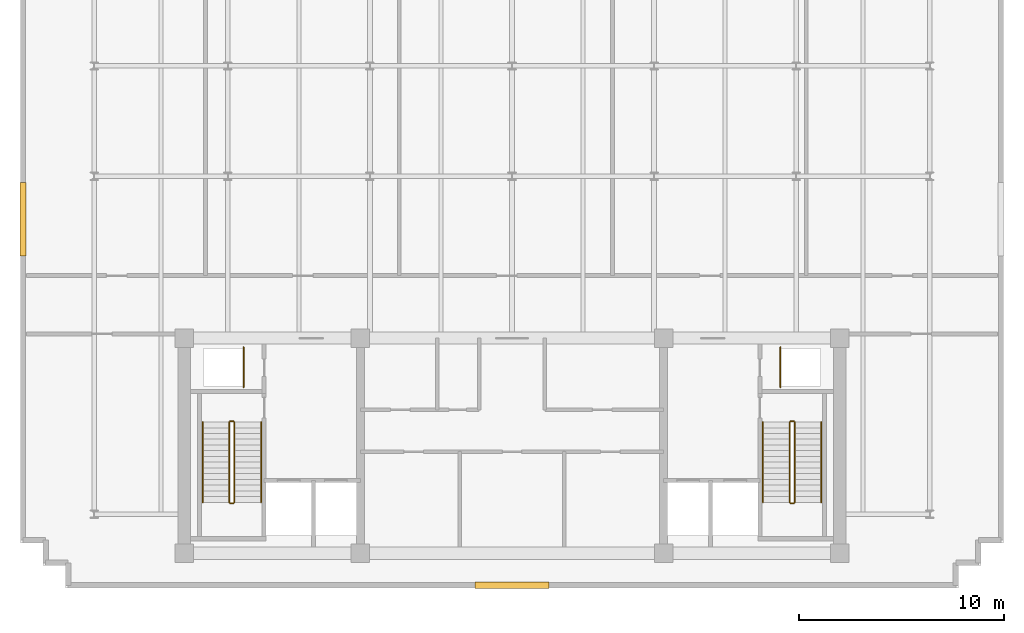
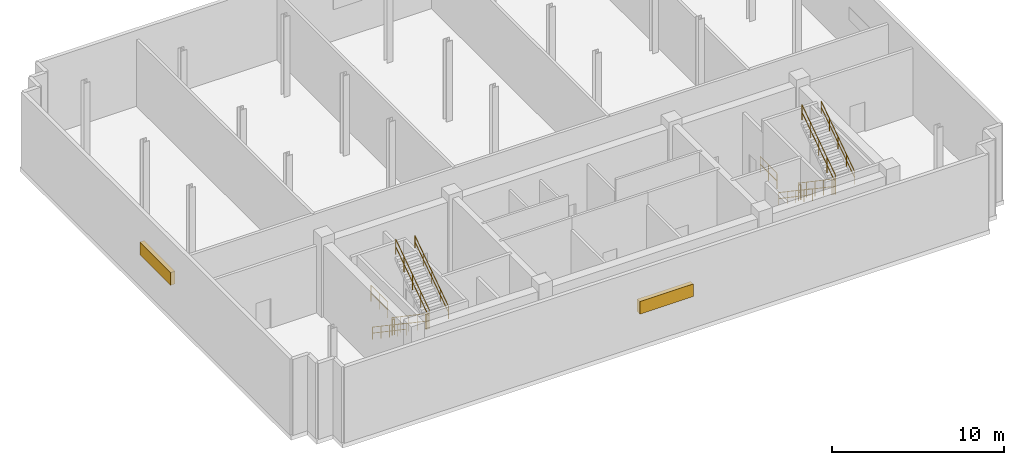
# One storey, part 5 of 6: 14 railings, 2 shading devices.
"""IFC4 building model written with IfcOpenShell, lengths in metres."""

from ifc_helpers import new_model, si_unit, direction, frame, origin, origin_2d, place, context, subcontext, project, spatial, rectangle, circle, extrude, material, layer, layer_set, type_object, element, save


model = new_model("IFC4")

# Units and contexts
model_context = context("Model", 3, precision=1e-05, world=origin(), true_north=direction((0.0, 1.0)))
body_context = subcontext(model_context, "Body", "Model", "MODEL_VIEW")
ifc_project = project(units=[si_unit("LENGTHUNIT", "METRE"), si_unit("AREAUNIT", "SQUARE_METRE"), si_unit("VOLUMEUNIT", "CUBIC_METRE"), si_unit("PLANEANGLEUNIT", "RADIAN"), si_unit("MASSUNIT", "GRAM", prefix="KILO")], contexts=[model_context])

# Site, building, storey
site_placement = place(None, origin())
site = spatial("IfcSite", under=ifc_project, at=site_placement, CompositionType="ELEMENT")
building_placement = place(site_placement, origin())
building = spatial("IfcBuilding", under=site, at=building_placement, Name="Solmavex Isthmus Hotel", CompositionType="ELEMENT")
storey_placement = place(building_placement, frame((0.0, 0.0, 297.0)))
storey = spatial("IfcBuildingStorey", under=building, at=storey_placement, Name="L80", CompositionType="ELEMENT", Elevation=297.0)

# Railings
ifc_material_1 = material(Name="Clear low-E laminated glass", Category="glass")
ifc_layer_1 = layer(ifc_material_1, 0.080078125)
ifc_layer_set_1 = layer_set([ifc_layer_1], Name="Clear low-E laminated glass")
railing_type_1 = type_object("IfcRailingType", Name="RAIL-ATRIUM-1120", PredefinedType="BALUSTRADE", material=ifc_layer_set_1)
for number, where, name in (
    (1, (-13.10009765625, -4.89990234375, 0.0), "Guardrail Balustrade L80-RSW-01"),
    (2, (13.10009765625, -4.89990234375, 0.0), "Guardrail Balustrade L80-RSE-01"),
):
    element("IfcRailing", number, at=place(storey_placement, frame(where)), inside=storey, type_object=railing_type_1, Name=name, PredefinedType="BALUSTRADE", context=body_context, shape_type="SweptSolid", body=[
        extrude(circle(Radius=0.02392578125, at=origin_2d()), frame((0.0, 0.0, 1.1259765625), z_axis=(0.0, 1.0, 0.0), x_axis=(-1.0, 0.0, 0.0)), (0.0, 0.0, 1.0), 1.949951171875),
        extrude(circle(Radius=0.02392578125, at=origin_2d()), frame((0.0, 0.0, 0.574951171875), z_axis=(0.0, 1.0, 0.0), x_axis=(-1.0, 0.0, 0.0)), (0.0, 0.0, 1.0), 1.949951171875),
        extrude(circle(Radius=0.02099609375, at=origin_2d()), origin(), (0.0, 0.0, 1.0), 1.101806640625),
        extrude(circle(Radius=0.02099609375, at=origin_2d()), frame((0.0, 0.97509765625, 0.0)), (0.0, 0.0, 1.0), 1.101806640625),
        extrude(circle(Radius=0.02099609375, at=origin_2d()), frame((0.0, 1.949951171875, 0.0)), (0.0, 0.0, 1.0), 1.101806640625),
    ])
ifc_material_2 = material(Name="Stainless steel 316", Category="steel")
ifc_layer_2 = layer(ifc_material_2, 0.06005859375)
ifc_layer_set_2 = layer_set([ifc_layer_2], Name="Stainless steel 316")
railing_type_2 = type_object("IfcRailingType", Name="RAIL-STAIR-GD", PredefinedType="GUARDRAIL", material=ifc_layer_set_2)
railing_1_placement = place(storey_placement, frame((-13.800048828125, -6.60009765625, 0.18994140625)))
element("IfcRailing", 3, at=railing_1_placement, inside=storey, type_object=railing_type_2, Name="L80 ST-1 stair guard 1", PredefinedType="GUARDRAIL", context=body_context, shape_type="SweptSolid", body=[
    extrude(circle(Radius=0.02392578125, at=origin_2d()), frame((0.0, 0.0, 1.09619140625), z_axis=(0.0, -0.827455249626, 0.561531664171), x_axis=(1.0, 0.0, 0.0)), (0.0, 0.0, 1.0), 4.7373046875),
    extrude(circle(Radius=0.02392578125, at=origin_2d()), frame((0.0, 0.0, 0.56005859375), z_axis=(0.0, -0.827455249626, 0.561531664171), x_axis=(1.0, 0.0, 0.0)), (0.0, 0.0, 1.0), 4.7373046875),
    extrude(circle(Radius=0.02099609375, at=origin_2d()), origin(), (0.0, 0.0, 1.0), 1.072021484375),
    extrude(circle(Radius=0.02099609375, at=origin_2d()), frame((0.0, -0.97998046875, 0.6650390625)), (0.0, 0.0, 1.0), 1.072021484375),
    extrude(circle(Radius=0.02099609375, at=origin_2d()), frame((0.0, -1.9599609375, 1.330078125)), (0.0, 0.0, 1.0), 1.072021484375),
    extrude(circle(Radius=0.02099609375, at=origin_2d()), frame((0.0, -2.93994140625, 1.9951171875)), (0.0, 0.0, 1.0), 1.072021484375),
    extrude(circle(Radius=0.02099609375, at=origin_2d()), frame((0.0, -3.919921875, 2.66015625)), (0.0, 0.0, 1.0), 1.072021484375),
])
railing_2_placement = place(storey_placement, frame((-13.75, -10.570068359375, 2.85009765625)))
element("IfcRailing", 4, at=railing_2_placement, inside=storey, type_object=railing_type_2, Name="L80 ST-1 stair guard 2", PredefinedType="GUARDRAIL", context=body_context, shape_type="SweptSolid", body=[
    extrude(circle(Radius=0.02392578125, at=origin_2d()), frame((0.0, 0.0, 1.09619140625), z_axis=(1.0, 0.0, 0.0), x_axis=(0.0, 1.0, 0.0)), (0.0, 0.0, 1.0), 0.14990234375),
    extrude(circle(Radius=0.02392578125, at=origin_2d()), frame((0.0, 0.0, 0.56005859375), z_axis=(1.0, 0.0, 0.0), x_axis=(0.0, 1.0, 0.0)), (0.0, 0.0, 1.0), 0.14990234375),
    extrude(circle(Radius=0.02099609375, at=origin_2d()), origin(), (0.0, 0.0, 1.0), 1.072021484375),
    extrude(circle(Radius=0.02099609375, at=origin_2d()), frame((0.14990234375, 0.0, 0.0)), (0.0, 0.0, 1.0), 1.072021484375),
])
railing_3_placement = place(storey_placement, frame((-13.550048828125, -10.52001953125, 3.0400390625)))
element("IfcRailing", 5, at=railing_3_placement, inside=storey, type_object=railing_type_2, Name="L80 ST-1 stair guard 3", PredefinedType="GUARDRAIL", context=body_context, shape_type="SweptSolid", body=[
    extrude(circle(Radius=0.02392578125, at=origin_2d()), frame((0.0, 0.0, 1.09619140625), z_axis=(0.0, 0.827479195178, 0.561496377146), x_axis=(-1.0, 0.0, 0.0)), (0.0, 0.0, 1.0), 4.7373046875),
    extrude(circle(Radius=0.02392578125, at=origin_2d()), frame((0.0, 0.0, 0.56005859375), z_axis=(0.0, 0.827479195178, 0.561496377146), x_axis=(-1.0, 0.0, 0.0)), (0.0, 0.0, 1.0), 4.7373046875),
    extrude(circle(Radius=0.02099609375, at=origin_2d()), origin(), (0.0, 0.0, 1.0), 1.072021484375),
    extrude(circle(Radius=0.02099609375, at=origin_2d()), frame((0.0, 0.97998046875, 0.6650390625)), (0.0, 0.0, 1.0), 1.072021484375),
    extrude(circle(Radius=0.02099609375, at=origin_2d()), frame((0.0, 1.9599609375, 1.330078125)), (0.0, 0.0, 1.0), 1.072021484375),
    extrude(circle(Radius=0.02099609375, at=origin_2d()), frame((0.0, 2.93994140625, 1.994873046875)), (0.0, 0.0, 1.0), 1.072021484375),
    extrude(circle(Radius=0.02099609375, at=origin_2d()), frame((0.0, 3.919921875, 2.659912109375)), (0.0, 0.0, 1.0), 1.072021484375),
])
railing_4_placement = place(storey_placement, frame((-13.75, -6.550048828125, 0.0)))
element("IfcRailing", 6, at=railing_4_placement, inside=storey, type_object=railing_type_2, Name="L80 ST-1 stair guard 4", PredefinedType="GUARDRAIL", context=body_context, shape_type="SweptSolid", body=[
    extrude(circle(Radius=0.02392578125, at=origin_2d()), frame((0.0, 0.0, 1.09619140625), z_axis=(1.0, 0.0, 0.0), x_axis=(0.0, 1.0, 0.0)), (0.0, 0.0, 1.0), 0.14990234375),
    extrude(circle(Radius=0.02392578125, at=origin_2d()), frame((0.0, 0.0, 0.56005859375), z_axis=(1.0, 0.0, 0.0), x_axis=(0.0, 1.0, 0.0)), (0.0, 0.0, 1.0), 0.14990234375),
    extrude(circle(Radius=0.02099609375, at=origin_2d()), origin(), (0.0, 0.0, 1.0), 1.072021484375),
    extrude(circle(Radius=0.02099609375, at=origin_2d()), frame((0.14990234375, 0.0, 0.0)), (0.0, 0.0, 1.0), 1.072021484375),
])
railing_5_placement = place(storey_placement, frame((13.550048828125, -6.60009765625, 0.18994140625)))
element("IfcRailing", 7, at=railing_5_placement, inside=storey, type_object=railing_type_2, Name="L80 ST-2 stair guard 1", PredefinedType="GUARDRAIL", context=body_context, shape_type="SweptSolid", body=[
    extrude(circle(Radius=0.02392578125, at=origin_2d()), frame((0.0, 0.0, 1.09619140625), z_axis=(0.0, -0.827455249626, 0.561531664171), x_axis=(1.0, 0.0, 0.0)), (0.0, 0.0, 1.0), 4.7373046875),
    extrude(circle(Radius=0.02392578125, at=origin_2d()), frame((0.0, 0.0, 0.56005859375), z_axis=(0.0, -0.827455249626, 0.561531664171), x_axis=(1.0, 0.0, 0.0)), (0.0, 0.0, 1.0), 4.7373046875),
    extrude(circle(Radius=0.02099609375, at=origin_2d()), origin(), (0.0, 0.0, 1.0), 1.072021484375),
    extrude(circle(Radius=0.02099609375, at=origin_2d()), frame((0.0, -0.97998046875, 0.6650390625)), (0.0, 0.0, 1.0), 1.072021484375),
    extrude(circle(Radius=0.02099609375, at=origin_2d()), frame((0.0, -1.9599609375, 1.330078125)), (0.0, 0.0, 1.0), 1.072021484375),
    extrude(circle(Radius=0.02099609375, at=origin_2d()), frame((0.0, -2.93994140625, 1.9951171875)), (0.0, 0.0, 1.0), 1.072021484375),
    extrude(circle(Radius=0.02099609375, at=origin_2d()), frame((0.0, -3.919921875, 2.66015625)), (0.0, 0.0, 1.0), 1.072021484375),
])
railing_6_placement = place(storey_placement, frame((13.60009765625, -10.570068359375, 2.85009765625)))
element("IfcRailing", 8, at=railing_6_placement, inside=storey, type_object=railing_type_2, Name="L80 ST-2 stair guard 2", PredefinedType="GUARDRAIL", context=body_context, shape_type="SweptSolid", body=[
    extrude(circle(Radius=0.02392578125, at=origin_2d()), frame((0.0, 0.0, 1.09619140625), z_axis=(1.0, 0.0, 0.0), x_axis=(0.0, 1.0, 0.0)), (0.0, 0.0, 1.0), 0.14990234375),
    extrude(circle(Radius=0.02392578125, at=origin_2d()), frame((0.0, 0.0, 0.56005859375), z_axis=(1.0, 0.0, 0.0), x_axis=(0.0, 1.0, 0.0)), (0.0, 0.0, 1.0), 0.14990234375),
    extrude(circle(Radius=0.02099609375, at=origin_2d()), origin(), (0.0, 0.0, 1.0), 1.072021484375),
    extrude(circle(Radius=0.02099609375, at=origin_2d()), frame((0.14990234375, 0.0, 0.0)), (0.0, 0.0, 1.0), 1.072021484375),
])
railing_7_placement = place(storey_placement, frame((13.800048828125, -10.52001953125, 3.0400390625)))
element("IfcRailing", 9, at=railing_7_placement, inside=storey, type_object=railing_type_2, Name="L80 ST-2 stair guard 3", PredefinedType="GUARDRAIL", context=body_context, shape_type="SweptSolid", body=[
    extrude(circle(Radius=0.02392578125, at=origin_2d()), frame((0.0, 0.0, 1.09619140625), z_axis=(0.0, 0.827479195178, 0.561496377146), x_axis=(-1.0, 0.0, 0.0)), (0.0, 0.0, 1.0), 4.7373046875),
    extrude(circle(Radius=0.02392578125, at=origin_2d()), frame((0.0, 0.0, 0.56005859375), z_axis=(0.0, 0.827479195178, 0.561496377146), x_axis=(-1.0, 0.0, 0.0)), (0.0, 0.0, 1.0), 4.7373046875),
    extrude(circle(Radius=0.02099609375, at=origin_2d()), origin(), (0.0, 0.0, 1.0), 1.072021484375),
    extrude(circle(Radius=0.02099609375, at=origin_2d()), frame((0.0, 0.97998046875, 0.6650390625)), (0.0, 0.0, 1.0), 1.072021484375),
    extrude(circle(Radius=0.02099609375, at=origin_2d()), frame((0.0, 1.9599609375, 1.330078125)), (0.0, 0.0, 1.0), 1.072021484375),
    extrude(circle(Radius=0.02099609375, at=origin_2d()), frame((0.0, 2.93994140625, 1.994873046875)), (0.0, 0.0, 1.0), 1.072021484375),
    extrude(circle(Radius=0.02099609375, at=origin_2d()), frame((0.0, 3.919921875, 2.659912109375)), (0.0, 0.0, 1.0), 1.072021484375),
])
railing_8_placement = place(storey_placement, frame((13.60009765625, -6.550048828125, 0.0)))
element("IfcRailing", 10, at=railing_8_placement, inside=storey, type_object=railing_type_2, Name="L80 ST-2 stair guard 4", PredefinedType="GUARDRAIL", context=body_context, shape_type="SweptSolid", body=[
    extrude(circle(Radius=0.02392578125, at=origin_2d()), frame((0.0, 0.0, 1.09619140625), z_axis=(1.0, 0.0, 0.0), x_axis=(0.0, 1.0, 0.0)), (0.0, 0.0, 1.0), 0.14990234375),
    extrude(circle(Radius=0.02392578125, at=origin_2d()), frame((0.0, 0.0, 0.56005859375), z_axis=(1.0, 0.0, 0.0), x_axis=(0.0, 1.0, 0.0)), (0.0, 0.0, 1.0), 0.14990234375),
    extrude(circle(Radius=0.02099609375, at=origin_2d()), origin(), (0.0, 0.0, 1.0), 1.072021484375),
    extrude(circle(Radius=0.02099609375, at=origin_2d()), frame((0.14990234375, 0.0, 0.0)), (0.0, 0.0, 1.0), 1.072021484375),
])
ifc_layer_3 = layer(ifc_material_2, 0.050048828125)
ifc_layer_set_3 = layer_set([ifc_layer_3], Name="Stainless steel 316")
railing_type_3 = type_object("IfcRailingType", Name="RAIL-STAIR-HR", PredefinedType="HANDRAIL", material=ifc_layer_set_3)
railing_9_placement = place(storey_placement, frame((-15.10009765625, -6.60009765625, 0.18994140625)))
element("IfcRailing", 11, at=railing_9_placement, inside=storey, type_object=railing_type_3, Name="L80 ST-1 stair handrail 1", PredefinedType="HANDRAIL", context=body_context, shape_type="SweptSolid", body=[
    extrude(circle(Radius=0.02392578125, at=origin_2d()), frame((0.0, 0.0, 0.8759765625), z_axis=(0.0, -0.827455249626, 0.561531664171), x_axis=(1.0, 0.0, 0.0)), (0.0, 0.0, 1.0), 4.7373046875),
    extrude(circle(Radius=0.02392578125, at=origin_2d()), frame((0.0, 0.0, 0.449951171875), z_axis=(0.0, -0.827455249626, 0.561531664171), x_axis=(1.0, 0.0, 0.0)), (0.0, 0.0, 1.0), 4.7373046875),
    extrude(circle(Radius=0.02099609375, at=origin_2d()), origin(), (0.0, 0.0, 1.0), 0.851806640625),
    extrude(circle(Radius=0.02099609375, at=origin_2d()), frame((0.0, -0.97998046875, 0.6650390625)), (0.0, 0.0, 1.0), 0.851806640625),
    extrude(circle(Radius=0.02099609375, at=origin_2d()), frame((0.0, -1.9599609375, 1.330078125)), (0.0, 0.0, 1.0), 0.851806640625),
    extrude(circle(Radius=0.02099609375, at=origin_2d()), frame((0.0, -2.93994140625, 1.9951171875)), (0.0, 0.0, 1.0), 0.851806640625),
    extrude(circle(Radius=0.02099609375, at=origin_2d()), frame((0.0, -3.919921875, 2.66015625)), (0.0, 0.0, 1.0), 0.851806640625),
])
railing_10_placement = place(storey_placement, frame((-12.25, -10.52001953125, 3.0400390625)))
element("IfcRailing", 12, at=railing_10_placement, inside=storey, type_object=railing_type_3, Name="L80 ST-1 stair handrail 2", PredefinedType="HANDRAIL", context=body_context, shape_type="SweptSolid", body=[
    extrude(circle(Radius=0.02392578125, at=origin_2d()), frame((0.0, 0.0, 0.8759765625), z_axis=(0.0, 0.827479195178, 0.561496377146), x_axis=(-1.0, 0.0, 0.0)), (0.0, 0.0, 1.0), 4.7373046875),
    extrude(circle(Radius=0.02392578125, at=origin_2d()), frame((0.0, 0.0, 0.449951171875), z_axis=(0.0, 0.827479195178, 0.561496377146), x_axis=(-1.0, 0.0, 0.0)), (0.0, 0.0, 1.0), 4.7373046875),
    extrude(circle(Radius=0.02099609375, at=origin_2d()), origin(), (0.0, 0.0, 1.0), 0.851806640625),
    extrude(circle(Radius=0.02099609375, at=origin_2d()), frame((0.0, 0.97998046875, 0.6650390625)), (0.0, 0.0, 1.0), 0.851806640625),
    extrude(circle(Radius=0.02099609375, at=origin_2d()), frame((0.0, 1.9599609375, 1.330078125)), (0.0, 0.0, 1.0), 0.851806640625),
    extrude(circle(Radius=0.02099609375, at=origin_2d()), frame((0.0, 2.93994140625, 1.994873046875)), (0.0, 0.0, 1.0), 0.851806640625),
    extrude(circle(Radius=0.02099609375, at=origin_2d()), frame((0.0, 3.919921875, 2.659912109375)), (0.0, 0.0, 1.0), 0.851806640625),
])
railing_11_placement = place(storey_placement, frame((12.25, -6.60009765625, 0.18994140625)))
element("IfcRailing", 13, at=railing_11_placement, inside=storey, type_object=railing_type_3, Name="L80 ST-2 stair handrail 1", PredefinedType="HANDRAIL", context=body_context, shape_type="SweptSolid", body=[
    extrude(circle(Radius=0.02392578125, at=origin_2d()), frame((0.0, 0.0, 0.8759765625), z_axis=(0.0, -0.827455249626, 0.561531664171), x_axis=(1.0, 0.0, 0.0)), (0.0, 0.0, 1.0), 4.7373046875),
    extrude(circle(Radius=0.02392578125, at=origin_2d()), frame((0.0, 0.0, 0.449951171875), z_axis=(0.0, -0.827455249626, 0.561531664171), x_axis=(1.0, 0.0, 0.0)), (0.0, 0.0, 1.0), 4.7373046875),
    extrude(circle(Radius=0.02099609375, at=origin_2d()), origin(), (0.0, 0.0, 1.0), 0.851806640625),
    extrude(circle(Radius=0.02099609375, at=origin_2d()), frame((0.0, -0.97998046875, 0.6650390625)), (0.0, 0.0, 1.0), 0.851806640625),
    extrude(circle(Radius=0.02099609375, at=origin_2d()), frame((0.0, -1.9599609375, 1.330078125)), (0.0, 0.0, 1.0), 0.851806640625),
    extrude(circle(Radius=0.02099609375, at=origin_2d()), frame((0.0, -2.93994140625, 1.9951171875)), (0.0, 0.0, 1.0), 0.851806640625),
    extrude(circle(Radius=0.02099609375, at=origin_2d()), frame((0.0, -3.919921875, 2.66015625)), (0.0, 0.0, 1.0), 0.851806640625),
])
railing_12_placement = place(storey_placement, frame((15.10009765625, -10.52001953125, 3.0400390625)))
element("IfcRailing", 14, at=railing_12_placement, inside=storey, type_object=railing_type_3, Name="L80 ST-2 stair handrail 2", PredefinedType="HANDRAIL", context=body_context, shape_type="SweptSolid", body=[
    extrude(circle(Radius=0.02392578125, at=origin_2d()), frame((0.0, 0.0, 0.8759765625), z_axis=(0.0, 0.827479195178, 0.561496377146), x_axis=(-1.0, 0.0, 0.0)), (0.0, 0.0, 1.0), 4.7373046875),
    extrude(circle(Radius=0.02392578125, at=origin_2d()), frame((0.0, 0.0, 0.449951171875), z_axis=(0.0, 0.827479195178, 0.561496377146), x_axis=(-1.0, 0.0, 0.0)), (0.0, 0.0, 1.0), 4.7373046875),
    extrude(circle(Radius=0.02099609375, at=origin_2d()), origin(), (0.0, 0.0, 1.0), 0.851806640625),
    extrude(circle(Radius=0.02099609375, at=origin_2d()), frame((0.0, 0.97998046875, 0.6650390625)), (0.0, 0.0, 1.0), 0.851806640625),
    extrude(circle(Radius=0.02099609375, at=origin_2d()), frame((0.0, 1.9599609375, 1.330078125)), (0.0, 0.0, 1.0), 0.851806640625),
    extrude(circle(Radius=0.02099609375, at=origin_2d()), frame((0.0, 2.93994140625, 1.994873046875)), (0.0, 0.0, 1.0), 0.851806640625),
    extrude(circle(Radius=0.02099609375, at=origin_2d()), frame((0.0, 3.919921875, 2.659912109375)), (0.0, 0.0, 1.0), 0.851806640625),
])

# Shading devices
ifc_material_3 = material(Name="Aluminium alloy 6063-T6", Category="aluminium")
shading_device_type = type_object("IfcShadingDeviceType", Name="SHD-LOUVRE-BOX", PredefinedType="JALOUSIE", material=ifc_material_3)
for number, where, z_axis, x_axis, name in (
    (15, (0.0, -14.570068359375, 2.25), (0.0, 0.0, 1.0), (-1.0, 0.0, 0.0), "Acoustic Intake Louvre Screen L80-01"),
    (16, (-23.8701171875, 3.300048828125, 2.25), (0.0, 0.0, 1.0), (0.0, 1.0, 0.0), "Acoustic Intake Louvre Screen L80-06"),
):
    element("IfcShadingDevice", number, at=place(storey_placement, frame(where, z_axis=z_axis, x_axis=x_axis)), inside=storey, type_object=shading_device_type, Name=name, PredefinedType="JALOUSIE", context=body_context, shape_type="SweptSolid", body=[
        extrude(rectangle(XDim=3.60009765625, YDim=0.300048828125, at=origin_2d()), origin(), (0.0, 0.0, 1.0), 0.89990234375),
    ])

save(model, "model.ifc")
